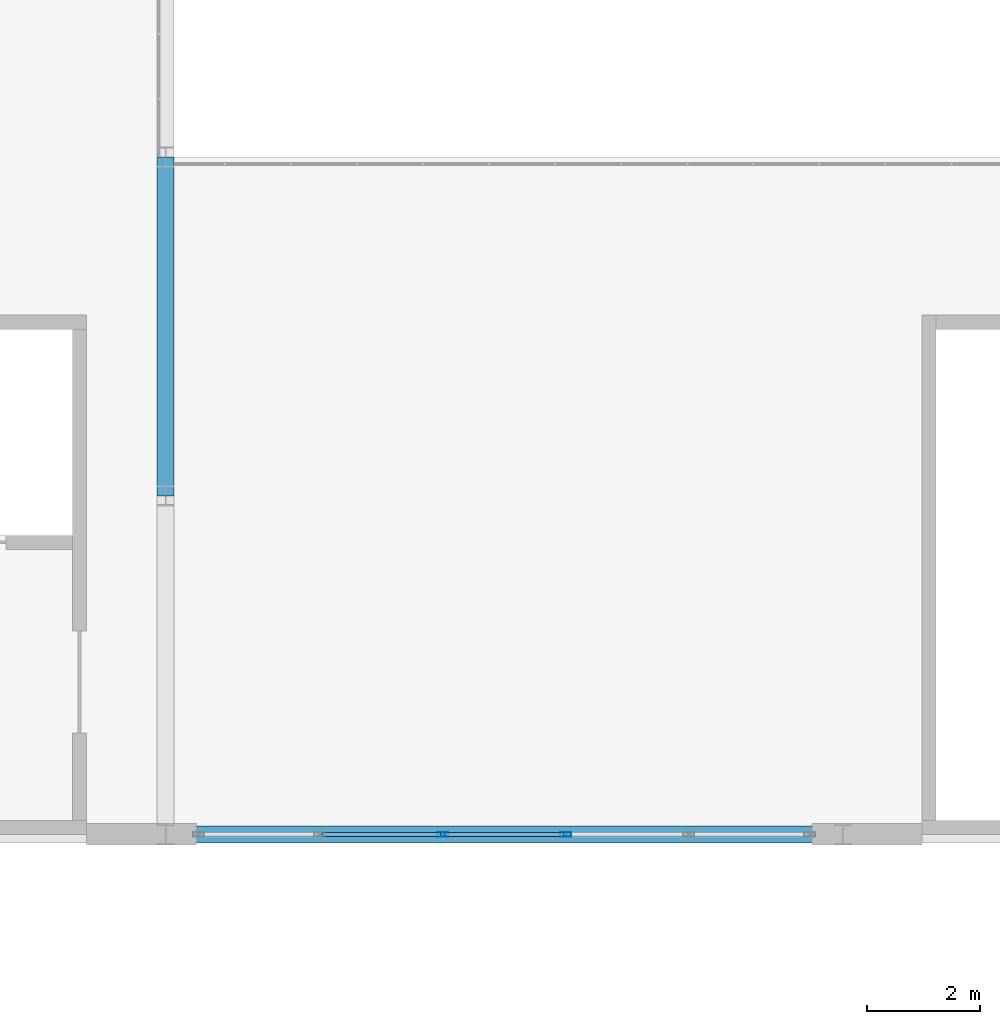
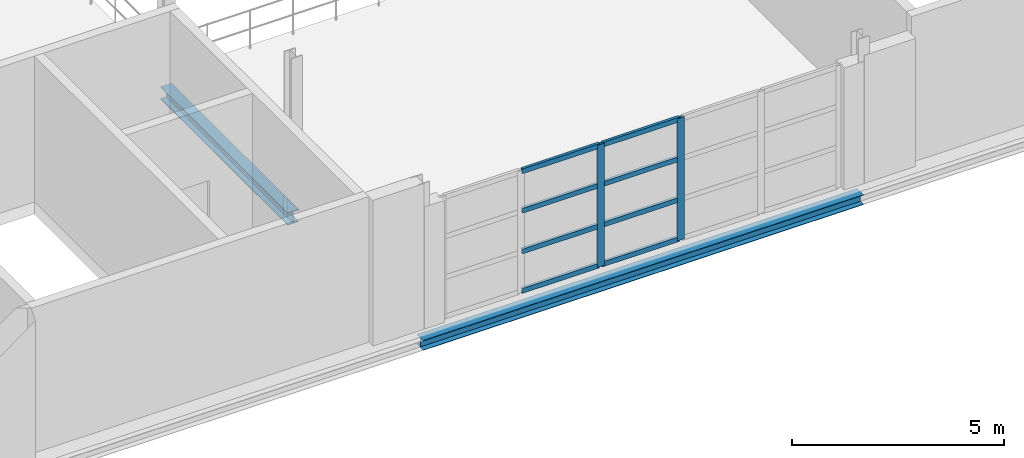
# One storey, part 31 of 147: 10 members, 2 beams, 1 element without a shape of its own.
"""IFC4 building model written with IfcOpenShell, lengths in metres."""

from ifc_helpers import new_model, si_unit, direction, frame, origin, origin_2d, place, context, subcontext, project, spatial, hollow_rectangle, i_section, extrude, material, layer, layer_set, material_profile, profile_set, type_object, element, aggregate, save


model = new_model("IFC4")

# Units and contexts
model_context = context("Model", 3, precision=1e-05, world=origin(), true_north=direction((0.0, 1.0)))
body_context = subcontext(model_context, "Body", "Model", "MODEL_VIEW")
ifc_project = project(units=[si_unit("LENGTHUNIT", "METRE"), si_unit("AREAUNIT", "SQUARE_METRE"), si_unit("VOLUMEUNIT", "CUBIC_METRE"), si_unit("PLANEANGLEUNIT", "RADIAN"), si_unit("MASSUNIT", "GRAM", prefix="KILO")], contexts=[model_context])

# Site, building, storey
site_placement = place(None, origin())
site = spatial("IfcSite", under=ifc_project, at=site_placement, CompositionType="ELEMENT")
building_placement = place(site_placement, origin())
building = spatial("IfcBuilding", under=site, at=building_placement, Name="Zilviju Railside Exhibition Hall", CompositionType="ELEMENT")
storey_placement = place(building_placement, frame((0.0, 0.0, 8.39990234375)))
storey = spatial("IfcBuildingStorey", under=building, at=storey_placement, Name="L03", CompositionType="ELEMENT", Elevation=8.39990234375)

# Beams
ifc_material_1 = material(Name="Steel S355J2", Category="steel")
ifc_material_profile_1 = material_profile(ifc_material_1, i_section(OverallWidth=0.300048828125, OverallDepth=0.2900390625, WebThickness=0.008544921875, FlangeThickness=0.013916015625, at=origin_2d()), Name="HEA 300")
ifc_profile_set_1 = profile_set([ifc_material_profile_1], Name="Steel S355J2")
beam_type_1 = type_object("IfcBeamType", Name="BM-HEA300", PredefinedType="SPANDREL", material=ifc_profile_set_1)
beam_1_placement = place(storey_placement, frame((24.0, 36.0, -0.494873046875), z_axis=(1.0, 0.0, 0.0), x_axis=(0.0, 1.0, 0.0)))
element("IfcBeam", 1, at=beam_1_placement, inside=storey, type_object=beam_type_1, Name="Primary Girder L03 Y=36.0 (24.0..36.0)", PredefinedType="SPANDREL", context=body_context, shape_type="SweptSolid", body=[
    extrude(i_section(OverallWidth=0.300048828125, OverallDepth=0.2900390625, WebThickness=0.008544921875, FlangeThickness=0.013916015625, at=origin_2d()), origin(), (0.0, 0.0, 1.0), 12.0),
])
ifc_material_profile_2 = material_profile(ifc_material_1, i_section(OverallWidth=0.300048828125, OverallDepth=0.360107421875, WebThickness=0.012451171875, FlangeThickness=0.0224609375, at=origin_2d()), Name="HEB 360")
ifc_profile_set_2 = profile_set([ifc_material_profile_2], Name="Steel S355J2")
beam_type_2 = type_object("IfcBeamType", Name="BM-HEB360", PredefinedType="BEAM", material=ifc_profile_set_2)
beam_2_placement = place(storey_placement, frame((24.0, 42.0, -0.52978515625), z_axis=(0.0, 1.0, 0.0), x_axis=(-1.0, 0.0, 0.0)))
element("IfcBeam", 2, at=beam_2_placement, inside=storey, type_object=beam_type_2, Name="Transverse Girder L03 X=24.0 (42.0..48.0)", PredefinedType="BEAM", context=body_context, shape_type="SweptSolid", body=[
    extrude(i_section(OverallWidth=0.300048828125, OverallDepth=0.360107421875, WebThickness=0.012451171875, FlangeThickness=0.0224609375, at=origin_2d()), origin(), (0.0, 0.0, 1.0), 6.0),
])

# Curtain wall, members
ifc_material_2 = material(Name="Thermally broken aluminium-steel triple-glazed curtain wall", Category="steel")
ifc_layer = layer(ifc_material_2, 0.179931640625)
ifc_layer_set = layer_set([ifc_layer], Name="Thermally broken aluminium-steel triple-glazed curtain wall")
curtain_wall_type = type_object("IfcCurtainWallType", Name="CW-BAY-01", PredefinedType="USERDEFINED", material=ifc_layer_set)
curtain_wall_placement = place(storey_placement, origin())
curtain_wall = element("IfcCurtainWall", 3, at=curtain_wall_placement, inside=storey, type_object=curtain_wall_type, Name="Congress Forecourt Curtain Wall L03 (24..36)", ObjectType="GLAZED CURTAIN WALL", PredefinedType="USERDEFINED")
ifc_material_3 = material(Name="Thermally broken anodized aluminium mullion", Category="aluminium")
ifc_material_profile_3 = material_profile(ifc_material_3, hollow_rectangle(XDim=0.074951171875, YDim=0.18994140625, WallThickness=0.0048828125, at=origin_2d()), Name="MULLION 190x75x5")
ifc_profile_set_3 = profile_set([ifc_material_profile_3], Name="Thermally broken anodized aluminium mullion")
member_type_1 = type_object("IfcMemberType", Name="CWM-75x190", PredefinedType="MULLION", material=ifc_profile_set_3)
member_1_placement = place(storey_placement, frame((31.090087890625, 36.0, 0.0), z_axis=(0.0, 0.0, 1.0), x_axis=(0.0, -1.0, 0.0)))
member_1 = element("IfcMember", 4, at=member_1_placement, type_object=member_type_1, Name="CW-01 mullion 3", PredefinedType="MULLION", context=body_context, shape_type="SweptSolid", body=[
    extrude(hollow_rectangle(XDim=0.074951171875, YDim=0.18994140625, WallThickness=0.0048828125, at=origin_2d()), origin(), (0.0, 0.0, 1.0), 3.52001953125),
])
member_2_placement = place(storey_placement, frame((28.909912109375, 36.0, 0.0), z_axis=(0.0, 0.0, 1.0), x_axis=(0.0, -1.0, 0.0)))
member_2 = element("IfcMember", 5, at=member_2_placement, type_object=member_type_1, Name="CW-01 mullion 4", PredefinedType="MULLION", context=body_context, shape_type="SweptSolid", body=[
    extrude(hollow_rectangle(XDim=0.074951171875, YDim=0.18994140625, WallThickness=0.0048828125, at=origin_2d()), origin(), (0.0, 0.0, 1.0), 3.52001953125),
])
ifc_material_4 = material(Name="Thermally broken anodized aluminium transom", Category="aluminium")
ifc_material_profile_4 = material_profile(ifc_material_4, hollow_rectangle(XDim=0.074951171875, YDim=0.139892578125, WallThickness=0.0048828125, at=origin_2d()), Name="TRANSOM 140x75x5")
ifc_profile_set_4 = profile_set([ifc_material_profile_4], Name="Thermally broken anodized aluminium transom")
member_type_2 = type_object("IfcMemberType", Name="CWT-75x140", PredefinedType="USERDEFINED", material=ifc_profile_set_4)
member_3_placement = place(storey_placement, frame((31.052490234375, 36.0, 0.03759765625), z_axis=(-1.0, 0.0, 0.0), x_axis=(0.0, -1.0, 0.0)))
member_3 = element("IfcMember", 6, at=member_3_placement, type_object=member_type_2, Name="CW-01 transom 3.1", ObjectType="TRANSOM", PredefinedType="USERDEFINED", context=body_context, shape_type="SweptSolid", body=[
    extrude(hollow_rectangle(XDim=0.074951171875, YDim=0.139892578125, WallThickness=0.0048828125, at=origin_2d()), origin(), (0.0, 0.0, 1.0), 2.10498046875),
])
member_4_placement = place(storey_placement, frame((31.052490234375, 36.0, 1.173095703125), z_axis=(-1.0, 0.0, 0.0), x_axis=(0.0, -1.0, 0.0)))
member_4 = element("IfcMember", 7, at=member_4_placement, type_object=member_type_2, Name="CW-01 transom 3.2", ObjectType="TRANSOM", PredefinedType="USERDEFINED", context=body_context, shape_type="SweptSolid", body=[
    extrude(hollow_rectangle(XDim=0.074951171875, YDim=0.139892578125, WallThickness=0.0048828125, at=origin_2d()), origin(), (0.0, 0.0, 1.0), 2.10498046875),
])
member_5_placement = place(storey_placement, frame((31.052490234375, 36.0, 2.34716796875), z_axis=(-1.0, 0.0, 0.0), x_axis=(0.0, -1.0, 0.0)))
member_5 = element("IfcMember", 8, at=member_5_placement, type_object=member_type_2, Name="CW-01 transom 3.3", ObjectType="TRANSOM", PredefinedType="USERDEFINED", context=body_context, shape_type="SweptSolid", body=[
    extrude(hollow_rectangle(XDim=0.074951171875, YDim=0.139892578125, WallThickness=0.0048828125, at=origin_2d()), origin(), (0.0, 0.0, 1.0), 2.10498046875),
])
member_6_placement = place(storey_placement, frame((31.052490234375, 36.0, 3.482666015625), z_axis=(-1.0, 0.0, 0.0), x_axis=(0.0, -1.0, 0.0)))
member_6 = element("IfcMember", 9, at=member_6_placement, type_object=member_type_2, Name="CW-01 transom 3.4", ObjectType="TRANSOM", PredefinedType="USERDEFINED", context=body_context, shape_type="SweptSolid", body=[
    extrude(hollow_rectangle(XDim=0.074951171875, YDim=0.139892578125, WallThickness=0.0048828125, at=origin_2d()), origin(), (0.0, 0.0, 1.0), 2.10498046875),
])
member_7_placement = place(storey_placement, frame((28.87255859375, 36.0, 0.03759765625), z_axis=(-1.0, 0.0, 0.0), x_axis=(0.0, -1.0, 0.0)))
member_7 = element("IfcMember", 10, at=member_7_placement, type_object=member_type_2, Name="CW-01 transom 4.1", ObjectType="TRANSOM", PredefinedType="USERDEFINED", context=body_context, shape_type="SweptSolid", body=[
    extrude(hollow_rectangle(XDim=0.074951171875, YDim=0.139892578125, WallThickness=0.0048828125, at=origin_2d()), origin(), (0.0, 0.0, 1.0), 2.10498046875),
])
member_8_placement = place(storey_placement, frame((28.87255859375, 36.0, 1.173095703125), z_axis=(-1.0, 0.0, 0.0), x_axis=(0.0, -1.0, 0.0)))
member_8 = element("IfcMember", 11, at=member_8_placement, type_object=member_type_2, Name="CW-01 transom 4.2", ObjectType="TRANSOM", PredefinedType="USERDEFINED", context=body_context, shape_type="SweptSolid", body=[
    extrude(hollow_rectangle(XDim=0.074951171875, YDim=0.139892578125, WallThickness=0.0048828125, at=origin_2d()), origin(), (0.0, 0.0, 1.0), 2.10498046875),
])
member_9_placement = place(storey_placement, frame((28.87255859375, 36.0, 2.34716796875), z_axis=(-1.0, 0.0, 0.0), x_axis=(0.0, -1.0, 0.0)))
member_9 = element("IfcMember", 12, at=member_9_placement, type_object=member_type_2, Name="CW-01 transom 4.3", ObjectType="TRANSOM", PredefinedType="USERDEFINED", context=body_context, shape_type="SweptSolid", body=[
    extrude(hollow_rectangle(XDim=0.074951171875, YDim=0.139892578125, WallThickness=0.0048828125, at=origin_2d()), origin(), (0.0, 0.0, 1.0), 2.10498046875),
])
member_10_placement = place(storey_placement, frame((28.87255859375, 36.0, 3.482666015625), z_axis=(-1.0, 0.0, 0.0), x_axis=(0.0, -1.0, 0.0)))
member_10 = element("IfcMember", 13, at=member_10_placement, type_object=member_type_2, Name="CW-01 transom 4.4", ObjectType="TRANSOM", PredefinedType="USERDEFINED", context=body_context, shape_type="SweptSolid", body=[
    extrude(hollow_rectangle(XDim=0.074951171875, YDim=0.139892578125, WallThickness=0.0048828125, at=origin_2d()), origin(), (0.0, 0.0, 1.0), 2.10498046875),
])
aggregate(curtain_wall, [member_1, member_2, member_3, member_4, member_5, member_6, member_7, member_8, member_9, member_10])

save(model, "model.ifc")
